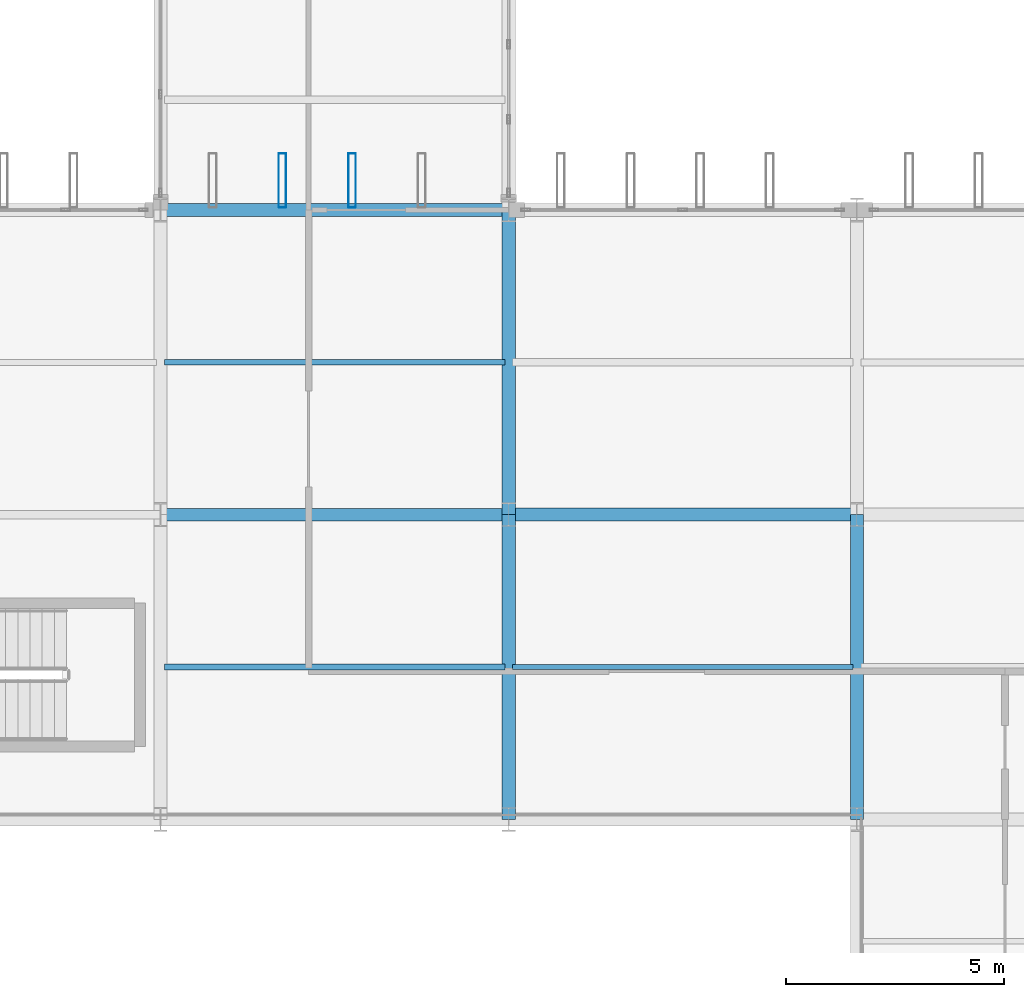
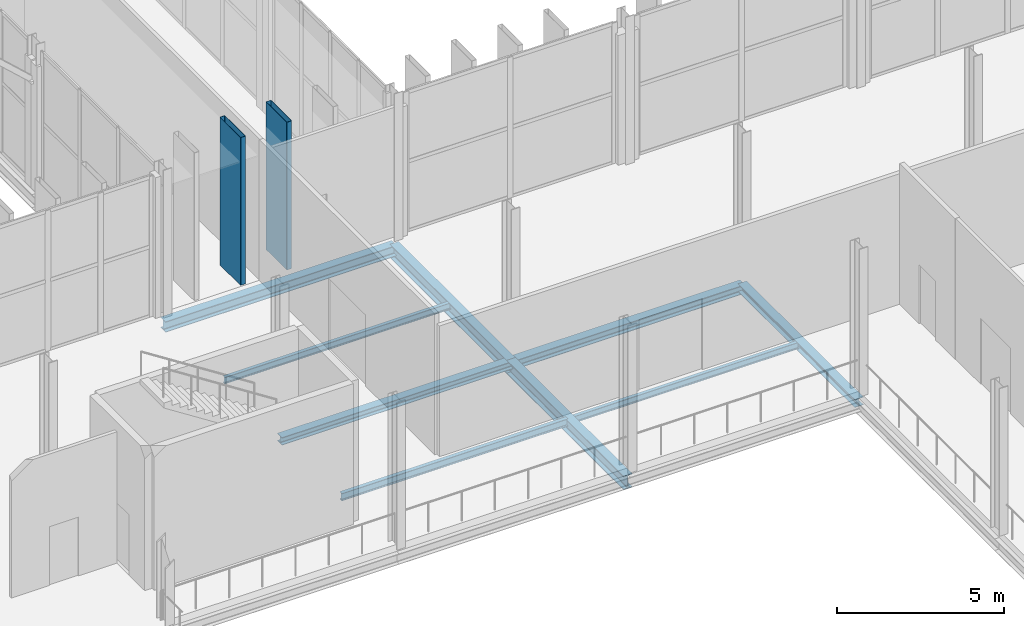
# One storey, part 59 of 147: 9 beams, 2 members.
"""IFC4 building model written with IfcOpenShell, lengths in metres."""

from ifc_helpers import new_model, si_unit, direction, frame, origin, origin_2d, place, context, subcontext, project, spatial, hollow_rectangle, i_section, extrude, material, material_profile, profile_set, type_object, element, save


model = new_model("IFC4")

# Units and contexts
model_context = context("Model", 3, precision=1e-05, world=origin(), true_north=direction((0.0, 1.0)))
body_context = subcontext(model_context, "Body", "Model", "MODEL_VIEW")
ifc_project = project(units=[si_unit("LENGTHUNIT", "METRE"), si_unit("AREAUNIT", "SQUARE_METRE"), si_unit("VOLUMEUNIT", "CUBIC_METRE"), si_unit("PLANEANGLEUNIT", "RADIAN"), si_unit("MASSUNIT", "GRAM", prefix="KILO")], contexts=[model_context])

# Site, building, storey
site_placement = place(None, origin())
site = spatial("IfcSite", under=ifc_project, at=site_placement, CompositionType="ELEMENT")
building_placement = place(site_placement, origin())
building = spatial("IfcBuilding", under=site, at=building_placement, Name="Vekula Escarpment Museum", CompositionType="ELEMENT")
storey_placement = place(building_placement, frame((0.0, 0.0, 7.800048828125)))
storey = spatial("IfcBuildingStorey", under=building, at=storey_placement, Name="L02", CompositionType="ELEMENT", Elevation=7.800048828125)

# Beams
ifc_material_1 = material(Name="Steel S355", Category="steel")
ifc_material_profile_1 = material_profile(ifc_material_1, i_section(OverallWidth=0.280029296875, OverallDepth=0.280029296875, WebThickness=0.010498046875, FlangeThickness=0.01806640625, FilletRadius=0.02392578125, at=origin_2d()), Name="HEB 280")
ifc_profile_set_1 = profile_set([ifc_material_profile_1], Name="Steel S355")
beam_type_1 = type_object("IfcBeamType", Name="BM-GIRD-HEB280", PredefinedType="BEAM", material=ifc_profile_set_1)
beam_1_placement = place(storey_placement, frame((94.0, 83.39990234375, -0.400146484375), z_axis=(1.0, 0.0, 0.0), x_axis=(0.0, 1.0, 0.0)))
element("IfcBeam", 1, at=beam_1_placement, inside=storey, type_object=beam_type_1, Name="Beam X L02 0943", PredefinedType="BEAM", context=body_context, shape_type="SweptSolid", body=[
    extrude(i_section(OverallWidth=0.280029296875, OverallDepth=0.280029296875, WebThickness=0.010498046875, FlangeThickness=0.01806640625, FilletRadius=0.02392578125, at=origin_2d()), origin(), (0.0, 0.0, 1.0), 8.0),
])
ifc_material_2 = material(Name="Steel S355", Category="steel")
ifc_material_profile_2 = material_profile(ifc_material_2, i_section(OverallWidth=0.300048828125, OverallDepth=0.320068359375, WebThickness=0.011474609375, FlangeThickness=0.0205078125, FilletRadius=0.027099609375, at=origin_2d()), Name="HEB 320")
ifc_profile_set_2 = profile_set([ifc_material_profile_2], Name="Steel S355")
beam_type_2 = type_object("IfcBeamType", Name="BM-GIRD-HEB320", PredefinedType="BEAM", material=ifc_profile_set_2)
beam_2_placement = place(storey_placement, frame((102.0, 83.39990234375, -0.420166015625), z_axis=(1.0, 0.0, 0.0), x_axis=(0.0, 1.0, 0.0)))
element("IfcBeam", 2, at=beam_2_placement, inside=storey, type_object=beam_type_2, Name="Beam X L02 0944", PredefinedType="BEAM", context=body_context, shape_type="SweptSolid", body=[
    extrude(i_section(OverallWidth=0.300048828125, OverallDepth=0.320068359375, WebThickness=0.011474609375, FlangeThickness=0.0205078125, FilletRadius=0.027099609375, at=origin_2d()), origin(), (0.0, 0.0, 1.0), 8.0),
])
ifc_material_3 = material(Name="Steel S355", Category="steel")
ifc_material_profile_3 = material_profile(ifc_material_3, i_section(OverallWidth=0.300048828125, OverallDepth=0.5, WebThickness=0.014404296875, FlangeThickness=0.028076171875, FilletRadius=0.027099609375, at=origin_2d()), Name="HEB 500")
ifc_profile_set_3 = profile_set([ifc_material_profile_3], Name="Steel S355")
beam_type_3 = type_object("IfcBeamType", Name="BM-GIRD-HEB500", PredefinedType="BEAM", material=ifc_profile_set_3)
for number, where, z_axis, x_axis, name in (
    (3, (102.0, 76.39990234375, -0.510009765625), (0.0, 1.0, 0.0), (-1.0, 0.0, 0.0), "Beam Y L02 1176"),
    (4, (102.0, 83.39990234375, -0.510009765625), (0.0, 1.0, 0.0), (-1.0, 0.0, 0.0), "Beam Y L02 1177"),
):
    element("IfcBeam", number, at=place(storey_placement, frame(where, z_axis=z_axis, x_axis=x_axis)), inside=storey, type_object=beam_type_3, Name=name, PredefinedType="BEAM", context=body_context, shape_type="SweptSolid", body=[
        extrude(i_section(OverallWidth=0.300048828125, OverallDepth=0.5, WebThickness=0.014404296875, FlangeThickness=0.028076171875, FilletRadius=0.027099609375, at=origin_2d()), origin(), (0.0, 0.0, 1.0), 7.0),
    ])
ifc_material_4 = material(Name="Steel S355", Category="steel")
ifc_material_profile_4 = material_profile(ifc_material_4, i_section(OverallWidth=0.1201171875, OverallDepth=0.239990234375, WebThickness=0.006103515625, FlangeThickness=0.009765625, FilletRadius=0.014892578125, at=origin_2d()), Name="IPE 240")
ifc_profile_set_4 = profile_set([ifc_material_profile_4], Name="Steel S355")
beam_type_4 = type_object("IfcBeamType", Name="BM-JST-IPE240", PredefinedType="JOIST", material=ifc_profile_set_4)
for number, where, z_axis, x_axis, name in (
    (5, (94.090087890625, 86.89990234375, -0.380126953125), (1.0, 0.0, 0.0), (0.0, 1.0, 0.0), "Secondary Joist L02 0779"),
    (6, (102.090087890625, 79.89990234375, -0.380126953125), (1.0, 0.0, 0.0), (0.0, 1.0, 0.0), "Secondary Joist L02 0798"),
):
    element("IfcBeam", number, at=place(storey_placement, frame(where, z_axis=z_axis, x_axis=x_axis)), inside=storey, type_object=beam_type_4, Name=name, PredefinedType="JOIST", context=body_context, shape_type="SweptSolid", body=[
        extrude(i_section(OverallWidth=0.1201171875, OverallDepth=0.239990234375, WebThickness=0.006103515625, FlangeThickness=0.009765625, FilletRadius=0.014892578125, at=origin_2d()), origin(), (0.0, 0.0, 1.0), 7.81982421875),
    ])
ifc_material_5 = material(Name="Steel S355", Category="steel")
ifc_material_profile_5 = material_profile(ifc_material_5, i_section(OverallWidth=0.135009765625, OverallDepth=0.27001953125, WebThickness=0.006591796875, FlangeThickness=0.01025390625, FilletRadius=0.014892578125, at=origin_2d()), Name="IPE 270")
ifc_profile_set_5 = profile_set([ifc_material_profile_5], Name="Steel S355")
beam_type_5 = type_object("IfcBeamType", Name="BM-JST-IPE270", PredefinedType="JOIST", material=ifc_profile_set_5)
beam_3_placement = place(storey_placement, frame((94.090087890625, 79.89990234375, -0.39501953125), z_axis=(1.0, 0.0, 0.0), x_axis=(0.0, 1.0, 0.0)))
element("IfcBeam", 7, at=beam_3_placement, inside=storey, type_object=beam_type_5, Name="Secondary Joist L02 0778", PredefinedType="JOIST", context=body_context, shape_type="SweptSolid", body=[
    extrude(i_section(OverallWidth=0.135009765625, OverallDepth=0.27001953125, WebThickness=0.006591796875, FlangeThickness=0.01025390625, FilletRadius=0.014892578125, at=origin_2d()), origin(), (0.0, 0.0, 1.0), 7.81982421875),
])
ifc_material_6 = material(Name="Steel S355", Category="steel")
ifc_material_profile_6 = material_profile(ifc_material_6, i_section(OverallWidth=0.300048828125, OverallDepth=0.2900390625, WebThickness=0.008544921875, FlangeThickness=0.013916015625, FilletRadius=0.027099609375, at=origin_2d()), Name="HEA 300")
ifc_profile_set_6 = profile_set([ifc_material_profile_6], Name="Steel S355")
beam_type_6 = type_object("IfcBeamType", Name="BM-SPAN-HEA300", PredefinedType="SPANDREL", material=ifc_profile_set_6)
beam_4_placement = place(storey_placement, frame((110.0, 76.39990234375, -0.405029296875), z_axis=(0.0, 1.0, 0.0), x_axis=(-1.0, 0.0, 0.0)))
element("IfcBeam", 8, at=beam_4_placement, inside=storey, type_object=beam_type_6, Name="Beam Y L02 1190", PredefinedType="SPANDREL", context=body_context, shape_type="SweptSolid", body=[
    extrude(i_section(OverallWidth=0.300048828125, OverallDepth=0.2900390625, WebThickness=0.008544921875, FlangeThickness=0.013916015625, FilletRadius=0.027099609375, at=origin_2d()), origin(), (0.0, 0.0, 1.0), 7.0),
])
ifc_material_7 = material(Name="Steel S355", Category="steel")
ifc_material_profile_7 = material_profile(ifc_material_7, i_section(OverallWidth=0.300048828125, OverallDepth=0.389892578125, WebThickness=0.010986328125, FlangeThickness=0.01904296875, FilletRadius=0.027099609375, at=origin_2d()), Name="HEA 400")
ifc_profile_set_7 = profile_set([ifc_material_profile_7], Name="Steel S355")
beam_type_7 = type_object("IfcBeamType", Name="BM-SPAN-HEA400", PredefinedType="SPANDREL", material=ifc_profile_set_7)
beam_5_placement = place(storey_placement, frame((94.0, 90.39990234375, -0.455078125), z_axis=(1.0, 0.0, 0.0), x_axis=(0.0, 1.0, 0.0)))
element("IfcBeam", 9, at=beam_5_placement, inside=storey, type_object=beam_type_7, Name="Beam X L02 0953", PredefinedType="SPANDREL", context=body_context, shape_type="SweptSolid", body=[
    extrude(i_section(OverallWidth=0.300048828125, OverallDepth=0.389892578125, WebThickness=0.010986328125, FlangeThickness=0.01904296875, FilletRadius=0.027099609375, at=origin_2d()), origin(), (0.0, 0.0, 1.0), 8.0),
])

# Members
ifc_material_8 = material(Name="Steel S355 weathered bronze solar fin", Category="steel")
ifc_material_profile_8 = material_profile(ifc_material_8, hollow_rectangle(XDim=0.179931640625, YDim=1.25, WallThickness=0.010009765625, InnerFilletRadius=0.010009765625, OuterFilletRadius=0.02001953125, at=origin_2d()), Name="RHS 1250x180x10")
ifc_profile_set_8 = profile_set([ifc_material_profile_8], Name="Steel S355 weathered bronze solar fin")
member_type = type_object("IfcMemberType", Name="MB-SOLAR-FIN", PredefinedType="USERDEFINED", material=ifc_profile_set_8)
for number, where, z_axis, x_axis, name in (
    (10, (96.800048828125, 91.080078125, 0.0), (0.0, 0.0, 1.0), (1.0, 0.0, 0.0), "Great Hall Vertical Solar Fin 0202"),
    (11, (98.39990234375, 91.080078125, 0.0), (0.0, 0.0, 1.0), (1.0, 0.0, 0.0), "Great Hall Vertical Solar Fin 0207"),
):
    element("IfcMember", number, at=place(storey_placement, frame(where, z_axis=z_axis, x_axis=x_axis)), inside=storey, type_object=member_type, Name=name, ObjectType="SOLAR FIN", PredefinedType="USERDEFINED", context=body_context, shape_type="SweptSolid", body=[
        extrude(hollow_rectangle(XDim=0.179931640625, YDim=1.25, WallThickness=0.010009765625, InnerFilletRadius=0.010009765625, OuterFilletRadius=0.02001953125, at=origin_2d()), origin(), (0.0, 0.0, 1.0), 5.39990234375),
    ])

save(model, "model.ifc")
